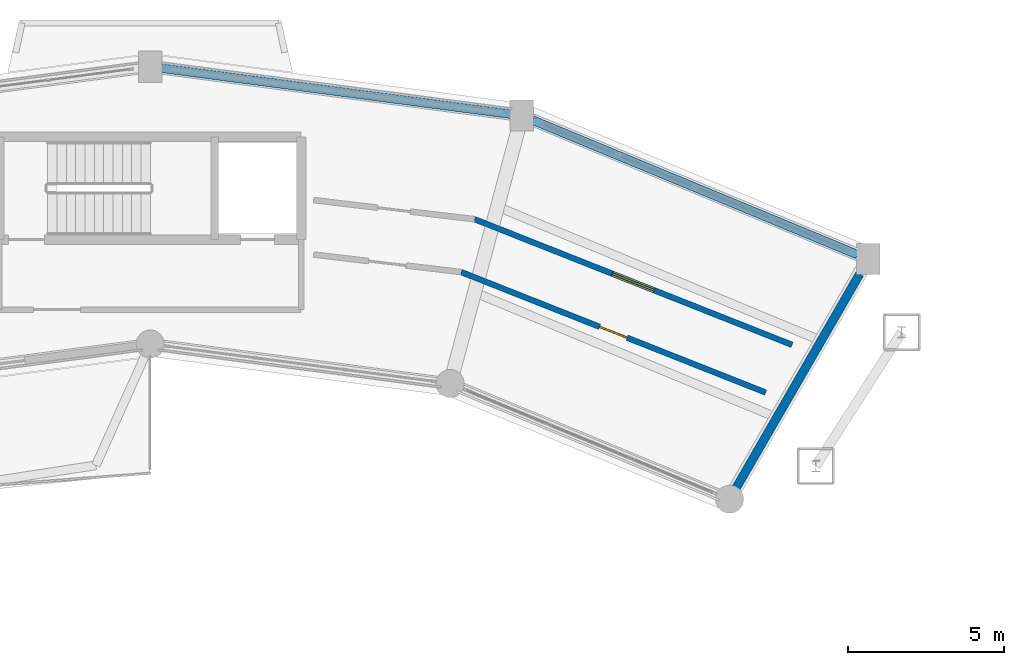
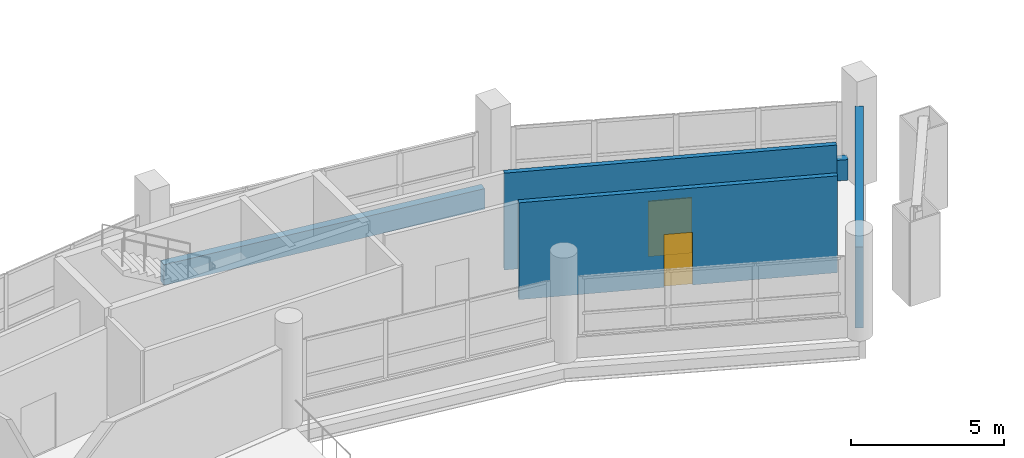
# One storey, part 113 of 128: 5 walls, 2 doors, 2 openings.
"""IFC4 building model written with IfcOpenShell, lengths in metres."""

from ifc_helpers import new_model, si_unit, direction, frame, frame_2d, origin, place, context, subcontext, project, spatial, rectangle, extrude, material, layer, layer_set, type_object, element, fill, save


model = new_model("IFC4")

# Units and contexts
model_context = context("Model", 3, precision=1e-05, world=origin(), true_north=direction((0.0, 1.0)))
body_context = subcontext(model_context, "Body", "Model", "MODEL_VIEW")
ifc_project = project(units=[si_unit("LENGTHUNIT", "METRE"), si_unit("AREAUNIT", "SQUARE_METRE"), si_unit("VOLUMEUNIT", "CUBIC_METRE"), si_unit("PLANEANGLEUNIT", "RADIAN"), si_unit("MASSUNIT", "GRAM", prefix="KILO")], contexts=[model_context])

# Site, building, storey
site_placement = place(None, origin())
site = spatial("IfcSite", under=ifc_project, at=site_placement, CompositionType="ELEMENT")
building_placement = place(site_placement, origin())
building = spatial("IfcBuilding", under=site, at=building_placement, Name="Vespera Passage Community Centre", CompositionType="ELEMENT")
storey_placement = place(building_placement, frame((0.0, 0.0, 4.5)))
storey = spatial("IfcBuildingStorey", under=building, at=storey_placement, Name="L01", CompositionType="ELEMENT", Elevation=4.5)

# Wall, opening, door
ifc_material_1 = material(Name="Gypsum board acoustic stud partition")
ifc_layer_1 = layer(ifc_material_1, 0.179931640625)
ifc_layer_set_1 = layer_set([ifc_layer_1], Name="Gypsum board acoustic stud partition")
wall_type_1 = type_object("IfcWallType", Name="WT-CORR-180I", PredefinedType="PARTITIONING", material=ifc_layer_set_1)
wall_1_placement = place(storey_placement, frame((98.6044921875, 102.67138671875, 0.0), z_axis=(0.0, 0.0, 1.0), x_axis=(-0.92984059227, 0.367962597238, 0.0)))
wall_1 = element("IfcWall", 1, at=wall_1_placement, inside=storey, type_object=wall_type_1, Name="L01 Interior Partition V4-L01-CO01.1", PredefinedType="PARTITIONING", context=body_context, shape_type="SweptSolid", body=[
    extrude(rectangle(XDim=10.9609375, YDim=0.179931640625, at=frame_2d((5.48046875, 0.0))), origin(), (0.0, 0.0, 1.0), 3.85498046875),
])
opening_1_placement = place(wall_1_placement, frame((4.755615234375, 0.0, 0.0)))
opening_1 = element("IfcOpeningElement", 2, at=opening_1_placement, cuts=wall_1, Name="Opening DT-PLANT-145", PredefinedType="OPENING", context=body_context, shape_type="SweptSolid", body=[
    extrude(rectangle(XDim=1.449951171875, YDim=2.199951171875, at=frame_2d((0.72509765625, 1.10009765625))), frame((0.0, 0.099853515625, 0.0), z_axis=(0.0, -1.0, 0.0), x_axis=(1.0, 0.0, 0.0)), (0.0, 0.0, 1.0), 0.199951171875),
])
ifc_material_2 = material(Name="Painted hollow-metal acoustic door", Category="steel")
door_type_1 = type_object("IfcDoorType", Name="DT-PLANT-145", OperationType="NOTDEFINED", PredefinedType="DOOR", material=ifc_material_2)
door_1_placement = place(opening_1_placement, origin())
door_1 = element("IfcDoor", 3, at=door_1_placement, inside=storey, type_object=door_type_1, Name="L01 Interior Door D-162", OperationType="SINGLE_SWING_RIGHT", OverallHeight=2.199951171875, OverallWidth=1.449951171875, PredefinedType="DOOR", context=body_context, shape_type="SweptSolid", body=[
    extrude(rectangle(XDim=1.449951171875, YDim=2.199951171875, at=frame_2d((0.72509765625, 1.10009765625))), frame((0.0, 0.02490234375, 0.0), z_axis=(0.0, -1.0, 0.0), x_axis=(1.0, 0.0, 0.0)), (0.0, 0.0, 1.0), 0.050048828125),
])
fill(opening_1, door_1)

wall_2_placement = place(storey_placement, frame((97.756103515625, 101.140869140625, 0.0), z_axis=(0.0, 0.0, 1.0), x_axis=(-0.92984171937, 0.367959749046, 0.0)))
wall_2 = element("IfcWall", 4, at=wall_2_placement, inside=storey, type_object=wall_type_1, Name="L01 Interior Partition V4-L01-CI01.1", PredefinedType="PARTITIONING", context=body_context, shape_type="SweptSolid", body=[
    extrude(rectangle(XDim=10.509765625, YDim=0.179931640625, at=frame_2d((5.2548828125, 0.0))), origin(), (0.0, 0.0, 1.0), 3.85498046875),
])
opening_2_placement = place(wall_2_placement, frame((4.77978515625, 0.0, 0.0)))
opening_2 = element("IfcOpeningElement", 5, at=opening_2_placement, cuts=wall_2, Name="Opening DT-CORR-95", PredefinedType="OPENING", context=body_context, shape_type="SweptSolid", body=[
    extrude(rectangle(XDim=0.949951171875, YDim=2.10009765625, at=frame_2d((0.47509765625, 1.050048828125))), frame((0.0, 0.099853515625, 0.0), z_axis=(0.0, -1.0, 0.0), x_axis=(1.0, 0.0, 0.0)), (0.0, 0.0, 1.0), 0.199951171875),
])
ifc_material_3 = material(Name="Painted hollow-metal acoustic door", Category="steel")
door_type_2 = type_object("IfcDoorType", Name="DT-CORR-95", OperationType="NOTDEFINED", PredefinedType="DOOR", material=ifc_material_3)
door_2_placement = place(opening_2_placement, origin())
door_2 = element("IfcDoor", 6, at=door_2_placement, inside=storey, type_object=door_type_2, Name="L01 Interior Door D-163", OperationType="SINGLE_SWING_LEFT", OverallHeight=2.10009765625, OverallWidth=0.949951171875, PredefinedType="DOOR", context=body_context, shape_type="SweptSolid", body=[
    extrude(rectangle(XDim=0.949951171875, YDim=2.10009765625, at=frame_2d((0.47509765625, 1.050048828125))), frame((0.0, 0.02490234375, 0.0), z_axis=(0.0, -1.0, 0.0), x_axis=(1.0, 0.0, 0.0)), (0.0, 0.0, 1.0), 0.050048828125),
])
fill(opening_2, door_2)

# Walls
ifc_material_4 = material(Name="Precast concrete f'c 40 MPa", Category="concrete")
ifc_layer_2 = layer(ifc_material_4, 0.280029296875)
ifc_layer_set_2 = layer_set([ifc_layer_2], Name="Precast concrete f'c 40 MPa")
wall_type_2 = type_object("IfcWallType", Name="WT-EXT-280E", PredefinedType="STANDARD", material=ifc_layer_set_2)
wall_3_placement = place(storey_placement, frame((90.283447265625, 109.88330078125, 0.0), z_axis=(0.0, 0.0, 1.0), x_axis=(0.923883530636, -0.382673779896, 0.0)))
element("IfcWall", 7, at=wall_3_placement, inside=storey, type_object=wall_type_2, Name="V4 L01 Spandrel Wall O4", PredefinedType="STANDARD", context=body_context, shape_type="SweptSolid", body=[
    extrude(rectangle(XDim=11.2724609375, YDim=0.280029296875, at=frame_2d((5.63623046875, 0.0))), origin(), (0.0, 0.0, 1.0), 0.820068359375),
])
wall_4_placement = place(storey_placement, frame((78.35009765625, 111.553955078125, 0.0), z_axis=(0.0, 0.0, 1.0), x_axis=(0.991443215359, -0.130538694334, 0.0)))
element("IfcWall", 8, at=wall_4_placement, inside=storey, type_object=wall_type_2, Name="V4 L01 Spandrel Wall O5", PredefinedType="STANDARD", context=body_context, shape_type="SweptSolid", body=[
    extrude(rectangle(XDim=11.328125, YDim=0.280029296875, at=frame_2d((5.6640625, 0.0))), origin(), (0.0, 0.0, 1.0), 0.820068359375),
])
wall_5_placement = place(storey_placement, frame((100.773681640625, 104.945556640625, 0.0), z_axis=(0.0, 0.0, 1.0), x_axis=(-0.499969958057, -0.866042747813, 0.0)))
element("IfcWall", 9, at=wall_5_placement, inside=storey, type_object=wall_type_2, Name="V4 L01 Radial End Facade Wall START", PredefinedType="STANDARD", context=body_context, shape_type="SweptSolid", body=[
    extrude(rectangle(XDim=8.0263671875, YDim=0.280029296875, at=frame_2d((4.01318359375, 0.0))), origin(), (0.0, 0.0, 1.0), 3.216552734375),
])

save(model, "model.ifc")
